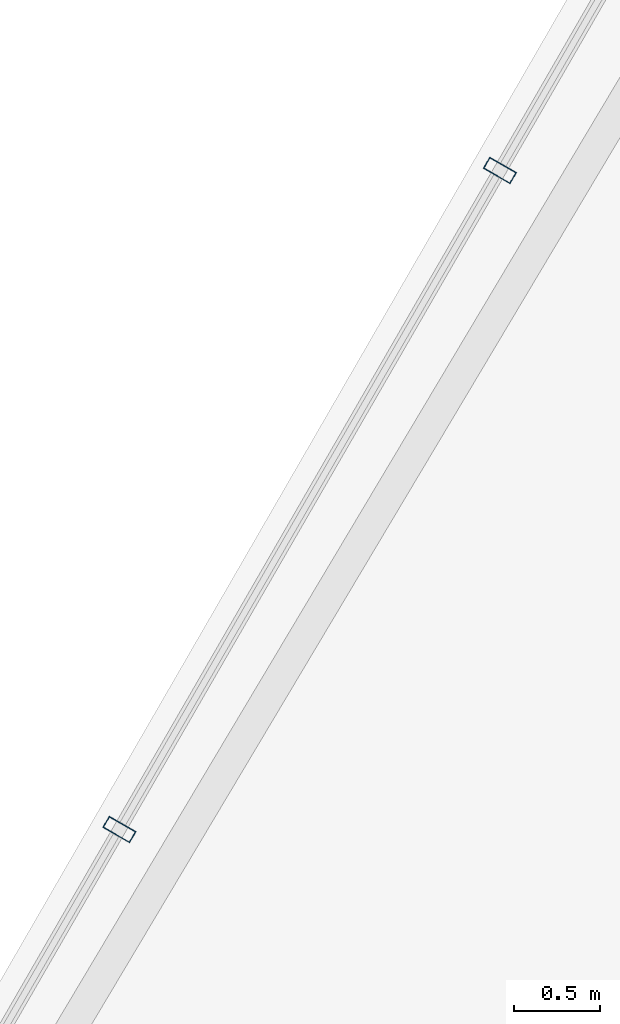
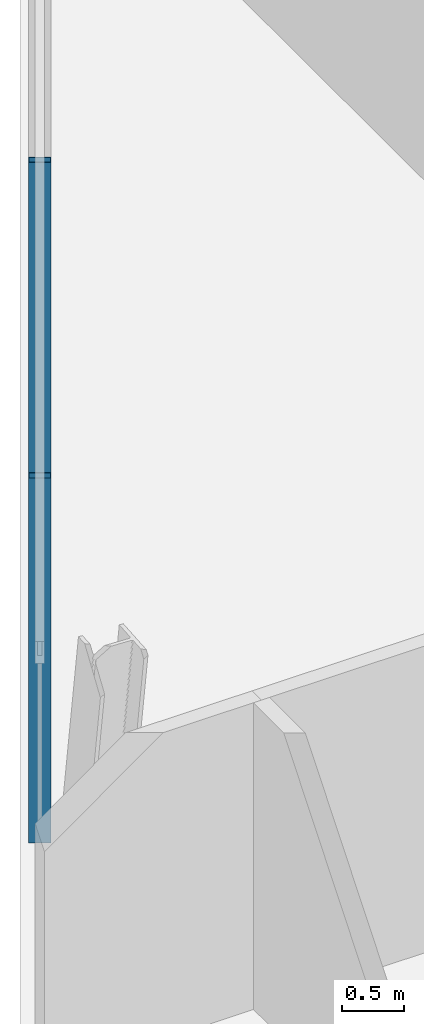
# One storey, part 14 of 34: 2 members, 1 element without a shape of its own.
"""IFC4 building model written with IfcOpenShell, lengths in metres."""

from ifc_helpers import new_model, si_unit, direction, frame, origin, origin_2d, place, context, subcontext, project, spatial, hollow_rectangle, extrude, material, layer, layer_set, material_profile, profile_set, type_object, element, aggregate, save


model = new_model("IFC4")

# Units and contexts
model_context = context("Model", 3, precision=1e-05, world=origin(), true_north=direction((0.0, 1.0)))
body_context = subcontext(model_context, "Body", "Model", "MODEL_VIEW")
ifc_project = project(units=[si_unit("LENGTHUNIT", "METRE"), si_unit("AREAUNIT", "SQUARE_METRE"), si_unit("VOLUMEUNIT", "CUBIC_METRE"), si_unit("PLANEANGLEUNIT", "RADIAN"), si_unit("MASSUNIT", "GRAM", prefix="KILO")], contexts=[model_context])

# Site, building, storey
site_placement = place(None, origin())
site = spatial("IfcSite", under=ifc_project, at=site_placement, CompositionType="ELEMENT")
building_placement = place(site_placement, origin())
building = spatial("IfcBuilding", under=site, at=building_placement, Name="Ndaravel Arena Tower", CompositionType="ELEMENT")
storey_placement = place(building_placement, frame((0.0, 0.0, 267.39990234375)))
storey = spatial("IfcBuildingStorey", under=building, at=storey_placement, Name="L65", CompositionType="ELEMENT", Elevation=267.39990234375)

# Curtain wall, members
ifc_material_1 = material(Name="Aluminium", Category="aluminium")
ifc_layer = layer(ifc_material_1, 0.179931640625)
ifc_layer_set = layer_set([ifc_layer], Name="Aluminium")
curtain_wall_type = type_object("IfcCurtainWallType", Name="CW-SYS-03", PredefinedType="NOTDEFINED", material=ifc_layer_set)
curtain_wall_placement = place(storey_placement, origin())
curtain_wall = element("IfcCurtainWall", 1, at=curtain_wall_placement, inside=storey, type_object=curtain_wall_type, Name="L65 Faceted Crystal Curtain Wall CW-L65-E05", PredefinedType="NOTDEFINED")
ifc_material_2 = material(Name="Aluminium", Category="aluminium")
ifc_material_profile = material_profile(ifc_material_2, hollow_rectangle(XDim=0.074951171875, YDim=0.179931640625, WallThickness=0.00390625, at=origin_2d()), Name="CW MULLION 75x180x4")
ifc_profile_set = profile_set([ifc_material_profile], Name="Aluminium")
member_type = type_object("IfcMemberType", Name="MEM-CW-MUL180", PredefinedType="MULLION", material=ifc_profile_set)
member_1_placement = place(storey_placement, frame((32.635986328125, 32.868408203125, 0.0), z_axis=(0.0, 0.0, 1.0), x_axis=(-0.5, -0.866025403784, 0.0)))
member_1 = element("IfcMember", 2, at=member_1_placement, type_object=member_type, Name="CW-L65-E05 Mullion 03", PredefinedType="MULLION", context=body_context, shape_type="SweptSolid", body=[
    extrude(hollow_rectangle(XDim=0.074951171875, YDim=0.179931640625, WallThickness=0.00390625, at=origin_2d()), origin(), (0.0, 0.0, 1.0), 3.580078125),
])
member_2_placement = place(storey_placement, frame((30.4248046875, 29.03857421875, 0.0), z_axis=(0.0, 0.0, 1.0), x_axis=(-0.5, -0.866025403784, 0.0)))
member_2 = element("IfcMember", 3, at=member_2_placement, type_object=member_type, Name="CW-L65-E05 Mullion 04", PredefinedType="MULLION", context=body_context, shape_type="SweptSolid", body=[
    extrude(hollow_rectangle(XDim=0.074951171875, YDim=0.179931640625, WallThickness=0.00390625, at=origin_2d()), origin(), (0.0, 0.0, 1.0), 3.580078125),
])
aggregate(curtain_wall, [member_1, member_2])

save(model, "model.ifc")
